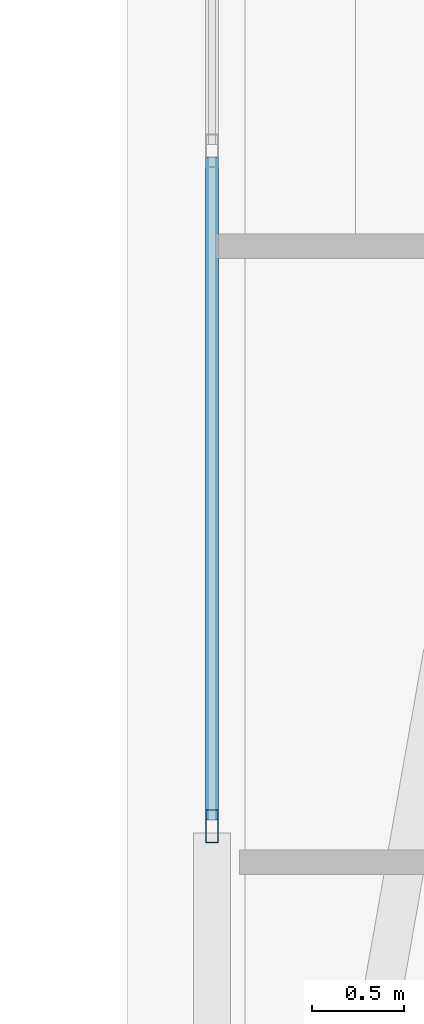
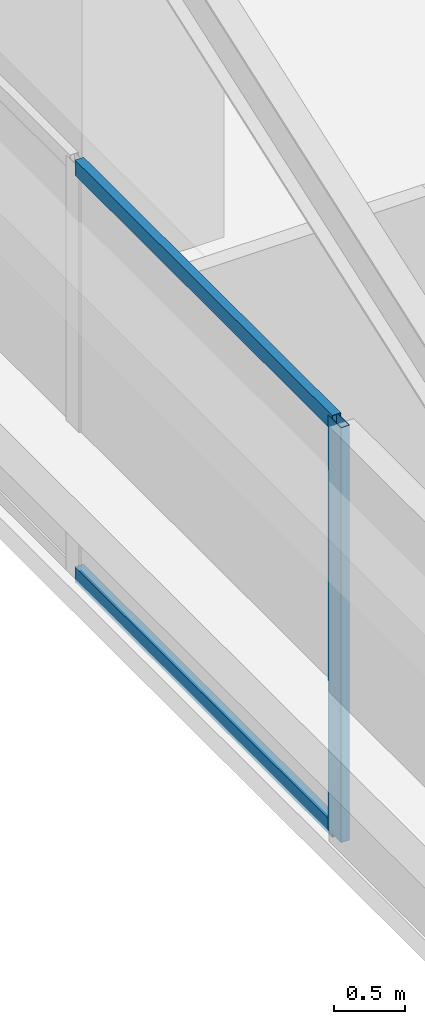
# One storey, part 8 of 43: 3 members, 1 element without a shape of its own.
"""IFC4 building model written with IfcOpenShell, lengths in metres."""

from ifc_helpers import new_model, si_unit, direction, frame, origin, origin_2d, place, context, subcontext, project, spatial, hollow_rectangle, extrude, material, material_profile, profile_set, type_object, element, aggregate, save


model = new_model("IFC4")

# Units and contexts
model_context = context("Model", 3, precision=1e-05, world=origin(), true_north=direction((0.0, 1.0)))
body_context = subcontext(model_context, "Body", "Model", "MODEL_VIEW")
ifc_project = project(units=[si_unit("LENGTHUNIT", "METRE"), si_unit("AREAUNIT", "SQUARE_METRE"), si_unit("VOLUMEUNIT", "CUBIC_METRE"), si_unit("PLANEANGLEUNIT", "RADIAN"), si_unit("MASSUNIT", "GRAM", prefix="KILO")], contexts=[model_context])

# Site, building, storey
site_placement = place(None, origin())
site = spatial("IfcSite", under=ifc_project, at=site_placement, CompositionType="ELEMENT")
building_placement = place(site_placement, origin())
building = spatial("IfcBuilding", under=site, at=building_placement, Name="Tashvorn Skyway Center", CompositionType="ELEMENT")
storey_placement = place(building_placement, frame((0.0, 0.0, 185.39990234375)))
storey = spatial("IfcBuildingStorey", under=building, at=storey_placement, Name="L50", CompositionType="ELEMENT", Elevation=185.39990234375)

# Curtain wall, members
ifc_material = material(Name="Thermally broken bronze-anodized aluminium 6063-T6", Category="aluminium")
curtain_wall_type = type_object("IfcCurtainWallType", Name="CW-CW-Z4", PredefinedType="NOTDEFINED", material=ifc_material)
curtain_wall_placement = place(storey_placement, origin())
curtain_wall = element("IfcCurtainWall", 1, at=curtain_wall_placement, inside=storey, type_object=curtain_wall_type, Name="Tower 1 L50 West Curtain Wall R Glazing Group 1", PredefinedType="NOTDEFINED")
ifc_material_profile_1 = material_profile(ifc_material, hollow_rectangle(XDim=0.070068359375, YDim=0.179931640625, WallThickness=0.00390625, at=origin_2d()), Name="ALU-MULL-70x180")
ifc_profile_set_1 = profile_set([ifc_material_profile_1], Name="Thermally broken bronze-anodized aluminium 6063-T6")
member_type_1 = type_object("IfcMemberType", Name="CWM-CW-Z4", PredefinedType="MULLION", material=ifc_profile_set_1)
member_1_placement = place(storey_placement, frame((24.320068359375, 39.9951171875, 0.0), z_axis=(0.0, 0.0, 1.0), x_axis=(-1.0, 0.0, 0.0)))
member_1 = element("IfcMember", 2, at=member_1_placement, type_object=member_type_1, Name="CW-Z4 mullion 1", PredefinedType="MULLION", context=body_context, shape_type="SweptSolid", body=[
    extrude(hollow_rectangle(XDim=0.070068359375, YDim=0.179931640625, WallThickness=0.00390625, at=origin_2d()), origin(), (0.0, 0.0, 1.0), 3.550048828125),
])
ifc_material_profile_2 = material_profile(ifc_material, hollow_rectangle(XDim=0.070068359375, YDim=0.1298828125, WallThickness=0.00390625, at=origin_2d()), Name="ALU-TRAN-70x130")
ifc_profile_set_2 = profile_set([ifc_material_profile_2], Name="Thermally broken bronze-anodized aluminium 6063-T6")
member_type_2 = type_object("IfcMemberType", Name="CWT-CW-Z4", PredefinedType="USERDEFINED", material=ifc_profile_set_2)
member_2_placement = place(storey_placement, frame((24.320068359375, 40.030029296875, 0.03515625), z_axis=(0.0, 1.0, 0.0), x_axis=(-1.0, 0.0, 0.0)))
member_2 = element("IfcMember", 3, at=member_2_placement, type_object=member_type_2, Name="CW-Z4 transom 1.1", ObjectType="TRANSOM", PredefinedType="USERDEFINED", context=body_context, shape_type="SweptSolid", body=[
    extrude(hollow_rectangle(XDim=0.070068359375, YDim=0.1298828125, WallThickness=0.00390625, at=origin_2d()), origin(), (0.0, 0.0, 1.0), 3.60498046875),
])
member_3_placement = place(storey_placement, frame((24.320068359375, 40.030029296875, 3.51513671875), z_axis=(0.0, 1.0, 0.0), x_axis=(-1.0, 0.0, 0.0)))
member_3 = element("IfcMember", 4, at=member_3_placement, type_object=member_type_2, Name="CW-Z4 transom 1.2", ObjectType="TRANSOM", PredefinedType="USERDEFINED", context=body_context, shape_type="SweptSolid", body=[
    extrude(hollow_rectangle(XDim=0.070068359375, YDim=0.1298828125, WallThickness=0.00390625, at=origin_2d()), origin(), (0.0, 0.0, 1.0), 3.60498046875),
])
aggregate(curtain_wall, [member_1, member_2, member_3])

save(model, "model.ifc")
